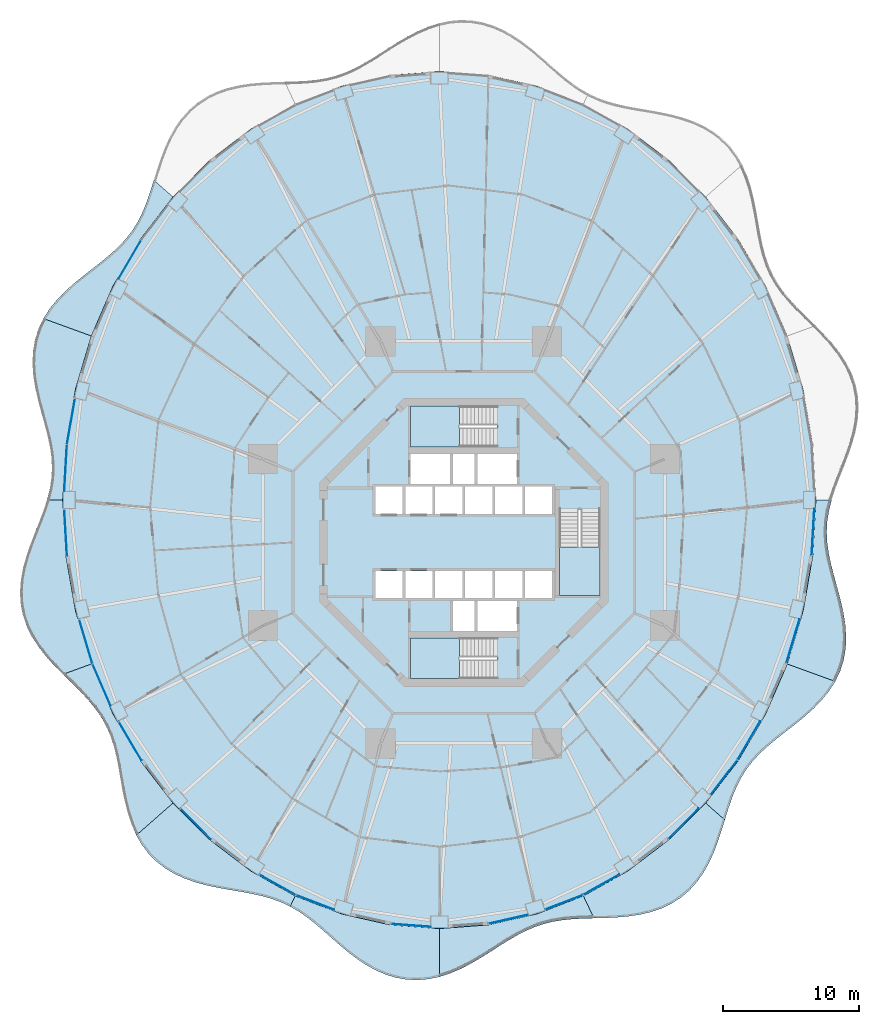
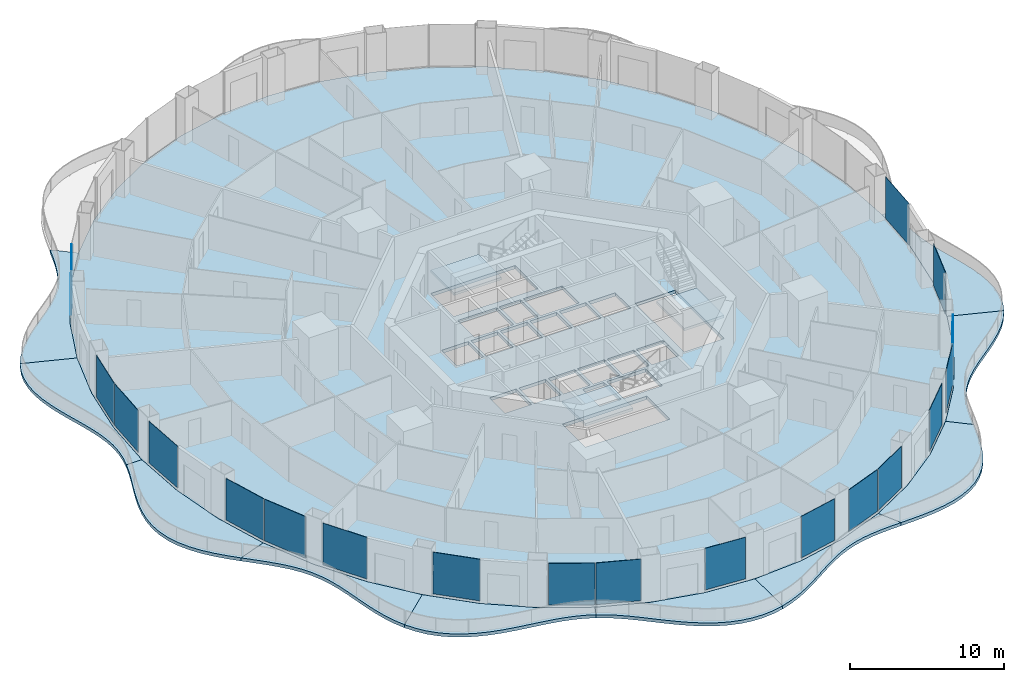
# One storey, part 12 of 22: 19 plates, 14 slabs, 22 elements without a shape of their own.
"""IFC4 building model written with IfcOpenShell, lengths in metres."""

import ifcopenshell
import ifcopenshell.guid

model = None  # the IFC model being written
_history = None  # IfcOwnerHistory: only IFC2X3 demands one
_inside = {}  # id of a spatial element -> (the spatial element, [elements in it])
_under = {}  # id of a project, library or spatial element -> (it, [spatial elements below it])
_declared = {}  # id of a project -> (the project, [libraries it declares])
_typed = {}  # id of a type object -> (the type object, [elements of that type])
_made_of = {}  # id of a material, layer set ... -> (it, [elements and type objects made of it])


def new_model(schema):
    """Start an empty IFC model of exactly this schema.

    Asked for "IFC4X3", IfcOpenShell would pick the latest addendum, in which some entities
    have other attributes; the version numbers below select the first issue.
    IFC2X3 requires an IfcOwnerHistory on every rooted entity: one is made here for all.
    """
    global model, _history
    if schema == "IFC4X3":
        model = ifcopenshell.file(schema_version=(4, 3, 0, 0))
    else:
        model = ifcopenshell.file(schema=schema)
    _inside.clear()
    _under.clear()
    _declared.clear()
    _typed.clear()
    _made_of.clear()
    _history = None
    if model.schema == "IFC2X3":
        org = make("IfcOrganization", Name="unknown")
        user = make(
            "IfcPersonAndOrganization",
            ThePerson=make("IfcPerson", FamilyName="unknown"),
            TheOrganization=org,
        )
        app = make(
            "IfcApplication",
            ApplicationDeveloper=org,
            Version="unknown",
            ApplicationFullName="unknown",
            ApplicationIdentifier="unknown",
        )
        _history = make(
            "IfcOwnerHistory",
            OwningUser=user,
            OwningApplication=app,
            ChangeAction="ADDED",
            CreationDate=0,
        )
    return model


def make(cls, **values):
    """One entity of the class cls with the attributes given. An attribute that is None is left unset."""
    return model.create_entity(
        cls, **{name: value for name, value in values.items() if value is not None}
    )


def rooted(cls, **values):
    """An entity with a GlobalId (a new one), such as an element, a storey or a relation."""
    return make(cls, GlobalId=ifcopenshell.guid.new(), OwnerHistory=_history, **values)


def si_unit(unit_type, name, prefix=None):
    """IfcSIUnit, for example si_unit("LENGTHUNIT", "METRE", prefix="MILLI")."""
    return make("IfcSIUnit", UnitType=unit_type, Prefix=prefix, Name=name)


def assignment(units):
    """IfcUnitAssignment: the units of a project."""
    return None if units is None else make("IfcUnitAssignment", Units=units)


def point(xyz):
    """IfcCartesianPoint."""
    return None if xyz is None else make("IfcCartesianPoint", Coordinates=xyz)


def direction(xyz):
    """IfcDirection."""
    return None if xyz is None else make("IfcDirection", DirectionRatios=xyz)


def frame(location, z_axis=None, x_axis=None):
    """IfcAxis2Placement3D, a coordinate frame: its origin and axes. An axis left out is left unset."""
    return make(
        "IfcAxis2Placement3D",
        Location=point(location),
        Axis=direction(z_axis),
        RefDirection=direction(x_axis),
    )


def frame_2d(location, x_axis=None):
    """IfcAxis2Placement2D, a coordinate frame in the plane: its origin and x axis."""
    return make(
        "IfcAxis2Placement2D", Location=point(location), RefDirection=direction(x_axis)
    )


def origin():
    """The frame at (0, 0, 0) with its axes left unset."""
    return frame((0.0, 0.0, 0.0))


def origin_2d():
    """The frame at (0, 0) in the plane with its x axis left unset."""
    return frame_2d((0.0, 0.0))


def place(relative_to, where):
    """IfcLocalPlacement: puts the frame where relative to a parent placement (None: the world)."""
    return make(
        "IfcLocalPlacement", PlacementRelTo=relative_to, RelativePlacement=where
    )


def context(
    kind, dimensions, precision=None, world=None, true_north=None, identifier=None
):
    """IfcGeometricRepresentationContext, for example the 3D "Model" context."""
    return make(
        "IfcGeometricRepresentationContext",
        ContextIdentifier=identifier,
        ContextType=kind,
        CoordinateSpaceDimension=dimensions,
        Precision=precision,
        WorldCoordinateSystem=world,
        TrueNorth=true_north,
    )


def subcontext(parent, identifier, kind, view, scale=None):
    """IfcGeometricRepresentationSubContext, for example "Body" below "Model"."""
    return make(
        "IfcGeometricRepresentationSubContext",
        ContextIdentifier=identifier,
        ContextType=kind,
        ParentContext=parent,
        TargetScale=scale,
        TargetView=view,
    )


def project(units=None, contexts=None):
    """IfcProject with its units and contexts."""
    return rooted(
        "IfcProject",
        Name="project",
        RepresentationContexts=contexts,
        UnitsInContext=assignment(units),
    )


def spatial(cls, under=None, at=None, **own):
    """A site, building, storey or space (cls), placed at a placement, below another one or the project."""
    s = rooted(cls, ObjectPlacement=at, **own)
    if under is not None:
        _under.setdefault(under.id(), (under, []))[1].append(s)
    return s


def polyline(points):
    """IfcPolyline through the points."""
    return make("IfcPolyline", Points=[point(p) for p in points])


def profile(cls, at=None, kind="AREA", **sizes):
    """A parametric profile (cls). Its sizes go by their IFC names, for example OverallWidth=200.0."""
    return make(cls, ProfileType=kind, Position=at, **sizes)


def rectangle(**sizes):
    """IfcRectangleProfileDef."""
    return profile("IfcRectangleProfileDef", **sizes)


def outline(outer, holes=None, kind="AREA"):
    """IfcArbitraryClosedProfileDef: a profile drawn as a closed curve; with holes, ...WithVoids."""
    if holes is None:
        return make("IfcArbitraryClosedProfileDef", ProfileType=kind, OuterCurve=outer)
    return make(
        "IfcArbitraryProfileDefWithVoids",
        ProfileType=kind,
        OuterCurve=outer,
        InnerCurves=holes,
    )


def extrude(swept, where, along, depth):
    """IfcExtrudedAreaSolid: the profile swept, set in the frame where, extruded along a direction by depth."""
    return make(
        "IfcExtrudedAreaSolid",
        SweptArea=swept,
        Position=where,
        ExtrudedDirection=direction(along),
        Depth=depth,
    )


def shape(context_of_items, identifier, shape_type, items):
    """IfcShapeRepresentation: the items that make up one representation, for example the "Body"."""
    return make(
        "IfcShapeRepresentation",
        ContextOfItems=context_of_items,
        RepresentationIdentifier=identifier,
        RepresentationType=shape_type,
        Items=items,
    )


def material(Name=None, Category=None):
    """IfcMaterial."""
    return make("IfcMaterial", Name=Name, Category=Category)


def layer(
    of_material, thickness, ventilated=None, Name=None, Category=None, Priority=None
):
    """IfcMaterialLayer: one layer of a wall or slab, of a material (None: an air gap)."""
    return make(
        "IfcMaterialLayer",
        Material=of_material,
        LayerThickness=thickness,
        IsVentilated=ventilated,
        Name=Name,
        Category=Category,
        Priority=Priority,
    )


def layer_set(layers, Name=None):
    """IfcMaterialLayerSet."""
    return make("IfcMaterialLayerSet", MaterialLayers=layers, LayerSetName=Name)


def made_of(thing, what):
    """Note that an element or type object is made of a material, layer set ...; save() writes the relation."""
    if what is not None:
        _made_of.setdefault(what.id(), (what, []))[1].append(thing)
    return thing


def type_object(cls, material=None, **own):
    """A type object (cls), such as IfcWallType, which elements share."""
    return made_of(rooted(cls, **own), material)


def element(
    cls,
    number,
    at=None,
    inside=None,
    cuts=None,
    type_object=None,
    material=None,
    context=None,
    identifier="Body",
    shape_type=None,
    held_by="IfcProductDefinitionShape",
    body=None,
    shapes=None,
    **own,
):
    """One element of the class cls, such as IfcWall. Its Tag is "e" and its number.

    at: its placement. inside: the storey or other place that contains it. cuts: it is an
    opening in that element (IfcRelVoidsElement). A single representation is given by context,
    identifier, shape_type and body (its items); several are given by shapes. held_by: the class
    of the entity that holds the representations. save() writes the other relations.
    """
    e = rooted(cls, Tag="e%d" % number, ObjectPlacement=at, **own)
    if body is not None:
        shapes = [shape(context, identifier, shape_type, body)]
    if shapes is not None:
        e.Representation = make(held_by, Representations=shapes)
    if inside is not None:
        _inside.setdefault(inside.id(), (inside, []))[1].append(e)
    if cuts is not None:
        rooted(
            "IfcRelVoidsElement", RelatingBuildingElement=cuts, RelatedOpeningElement=e
        )
    if type_object is not None:
        _typed.setdefault(type_object.id(), (type_object, []))[1].append(e)
    return made_of(e, material)


def aggregate(whole, parts):
    """IfcRelAggregates: a whole, such as a stair, and the parts it consists of."""
    return rooted("IfcRelAggregates", RelatingObject=whole, RelatedObjects=parts)


def save(model, path):
    """Write the relations noted so far, then the file.

    IfcRelAggregates (storeys below a building ...), IfcRelContainedInSpatialStructure (elements
    in a storey), IfcRelDefinesByType, IfcRelAssociatesMaterial and IfcRelDeclares: one each for
    every whole, place, type object, material and project.
    """
    for whole, parts in _under.values():
        aggregate(whole, parts)
    for where, things in _inside.values():
        rooted(
            "IfcRelContainedInSpatialStructure",
            RelatedElements=things,
            RelatingStructure=where,
        )
    for kind, things in _typed.values():
        rooted("IfcRelDefinesByType", RelatedObjects=things, RelatingType=kind)
    for what, things in _made_of.values():
        rooted("IfcRelAssociatesMaterial", RelatedObjects=things, RelatingMaterial=what)
    for by, libraries in _declared.values():
        rooted("IfcRelDeclares", RelatingContext=by, RelatedDefinitions=libraries)
    model.write(path)


model = new_model("IFC4")

# Units and contexts
model_context = context("Model", 3, precision=1e-05, world=origin(), true_north=direction((0.0, 1.0)))
body_context = subcontext(model_context, "Body", "Model", "MODEL_VIEW")
ifc_project = project(units=[si_unit("LENGTHUNIT", "METRE"), si_unit("AREAUNIT", "SQUARE_METRE"), si_unit("VOLUMEUNIT", "CUBIC_METRE"), si_unit("PLANEANGLEUNIT", "RADIAN"), si_unit("MASSUNIT", "GRAM", prefix="KILO")], contexts=[model_context])

# Site, building, storey
site_placement = place(None, origin())
site = spatial("IfcSite", under=ifc_project, at=site_placement, CompositionType="ELEMENT")
building_placement = place(site_placement, origin())
building = spatial("IfcBuilding", under=site, at=building_placement, Name="Nagisa Residences", CompositionType="ELEMENT")
storey_placement = place(building_placement, frame((0.0, 0.0, 99.199951171875)))
storey = spatial("IfcBuildingStorey", under=building, at=storey_placement, Name="L24", CompositionType="ELEMENT", Elevation=99.199951171875)

# Slabs
ifc_material_1 = material(Name="Concrete C40/50", Category="concrete")
ifc_layer_1 = layer(ifc_material_1, 0.25)
ifc_layer_set_1 = layer_set([ifc_layer_1], Name="BALCONY SLAB 250")
slab_type_1 = type_object("IfcSlabType", Name="BALCONY SLAB 250", PredefinedType="FLOOR", material=ifc_layer_set_1)
slab_1_placement = place(storey_placement, frame((0.0, 0.0, -0.25)))
element("IfcSlab", 1, at=slab_1_placement, inside=storey, type_object=slab_type_1, Name="slab:L24:bal06", PredefinedType="FLOOR", context=body_context, shape_type="SweptSolid", body=[
    extrude(outline(polyline([(-22.7900390625, 26.638427734375), (-23.04541015625, 25.820068359375), (-23.31494140625, 25.0341796875), (-23.6162109375, 24.28955078125), (-23.96337890625, 23.591064453125), (-24.36767578125, 22.938720703125), (-24.834716796875, 22.32958984375), (-25.365478515625, 21.75634765625), (-25.955322265625, 21.209716796875), (-26.59423828125, 20.67822265625), (-27.267822265625, 20.149658203125), (-27.957763671875, 19.61181640625), (-28.643310546875, 19.05322265625), (-29.30224609375, 18.464599609375), (-29.912841796875, 17.838623046875), (-30.455078125, 17.17138671875), (-30.911865234375, 16.461181640625), (-27.386962890625, 15.177978515625), (-25.78466796875, 18.875244140625), (-23.77197265625, 22.302734375), (-21.38330078125, 25.402099609375), (-22.7900390625, 26.638427734375)])), origin(), (0.0, 0.0, 1.0), 0.25),
])
slab_2_placement = place(storey_placement, frame((0.0, 0.0, -0.25)))
element("IfcSlab", 2, at=slab_2_placement, inside=storey, type_object=slab_type_1, Name="slab:L24:bal07", PredefinedType="FLOOR", context=body_context, shape_type="SweptSolid", body=[
    extrude(outline(polyline([(-30.911865234375, 16.461181640625), (-31.2802734375, 15.684814453125), (-31.53662109375, 14.869140625), (-31.678955078125, 14.02099609375), (-31.712890625, 13.149169921875), (-31.64990234375, 12.2626953125), (-31.507568359375, 11.371337890625), (-31.307861328125, 10.48388671875), (-31.07568359375, 9.60693359375), (-30.8369140625, 8.745849609375), (-30.6171875, 7.903564453125), (-30.439697265625, 7.079833984375), (-30.323486328125, 6.27294921875), (-30.2822265625, 5.478759765625), (-30.3232421875, 4.6923828125), (-30.447021484375, 3.9072265625), (-30.64697265625, 3.11767578125), (-29.4951171875, 3.11767578125), (-29.258056640625, 7.231201171875), (-28.55126953125, 11.2744140625), (-27.386962890625, 15.177978515625), (-30.911865234375, 16.461181640625)])), origin(), (0.0, 0.0, 1.0), 0.25),
])
slab_3_placement = place(storey_placement, frame((0.0, 0.0, -0.25)))
element("IfcSlab", 3, at=slab_3_placement, inside=storey, type_object=slab_type_1, Name="slab:L24:bal08", PredefinedType="FLOOR", context=body_context, shape_type="SweptSolid", body=[
    extrude(outline(polyline([(-30.64697265625, 3.11767578125), (-30.91015625, 2.318115234375), (-31.218017578125, 1.504638671875), (-31.54736328125, 0.675048828125), (-31.873046875, -0.1708984375), (-32.168212890625, -1.03076171875), (-32.407470703125, -1.900390625), (-32.568359375, -2.7734375), (-32.632080078125, -3.642578125), (-32.586181640625, -4.499755859375), (-32.424072265625, -5.337158203125), (-32.146484375, -6.147705078125), (-31.7607421875, -6.926513671875), (-31.280029296875, -7.670166015625), (-30.723388671875, -8.378662109375), (-30.113525390625, -9.05419921875), (-29.474609375, -9.70263671875), (-27.386962890625, -8.942626953125), (-28.55126953125, -5.0390625), (-29.258056640625, -0.995849609375), (-29.4951171875, 3.11767578125), (-30.64697265625, 3.11767578125)])), origin(), (0.0, 0.0, 1.0), 0.25),
])
slab_4_placement = place(storey_placement, frame((0.0, 0.0, -0.25)))
element("IfcSlab", 4, at=slab_4_placement, inside=storey, type_object=slab_type_1, Name="slab:L24:bal09", PredefinedType="FLOOR", context=body_context, shape_type="SweptSolid", body=[
    extrude(outline(polyline([(-29.474609375, -9.70263671875), (-28.85205078125, -10.312255859375), (-28.248046875, -10.912841796875), (-27.681396484375, -11.514404296875), (-27.16796875, -12.127197265625), (-26.7177734375, -12.761474609375), (-26.3359375, -13.42578125), (-26.022216796875, -14.1259765625), (-25.77001953125, -14.865966796875), (-25.568359375, -15.64599609375), (-25.40185546875, -16.462158203125), (-25.25244140625, -17.307861328125), (-25.099853515625, -18.17236328125), (-24.923828125, -19.042724609375), (-24.705078125, -19.90380859375), (-24.42724609375, -20.739501953125), (-24.07666015625, -21.53369140625), (-21.38330078125, -19.166748046875), (-23.77197265625, -16.0673828125), (-25.78466796875, -12.639892578125), (-27.386962890625, -8.942626953125), (-29.474609375, -9.70263671875)])), origin(), (0.0, 0.0, 1.0), 0.25),
])
slab_5_placement = place(storey_placement, frame((0.0, 0.0, -0.25)))
element("IfcSlab", 5, at=slab_5_placement, inside=storey, type_object=slab_type_1, Name="slab:L24:bal10", PredefinedType="FLOOR", context=body_context, shape_type="SweptSolid", body=[
    extrude(outline(polyline([(-24.07666015625, -21.53369140625), (-23.66650390625, -22.238037109375), (-23.178955078125, -22.88037109375), (-22.614013671875, -23.4521484375), (-21.9765625, -23.9482421875), (-21.274169921875, -24.367919921875), (-20.518310546875, -24.71337890625), (-19.7216796875, -24.991943359375), (-18.89892578125, -25.213623046875), (-18.064208984375, -25.3916015625), (-17.2314453125, -25.5419921875), (-16.41259765625, -25.681884765625), (-15.61767578125, -25.828125), (-14.853515625, -25.99755859375), (-14.123291015625, -26.204345703125), (-13.427490234375, -26.460205078125), (-12.763427734375, -26.772705078125), (-12.3984375, -25.998291015625), (-15.6474609375, -24.175048828125), (-18.65966796875, -21.884765625), (-21.38330078125, -19.166748046875), (-24.07666015625, -21.53369140625)])), origin(), (0.0, 0.0, 1.0), 0.25),
])
slab_6_placement = place(storey_placement, frame((0.0, 0.0, -0.25)))
element("IfcSlab", 6, at=slab_6_placement, inside=storey, type_object=slab_type_1, Name="slab:L24:bal11", PredefinedType="FLOOR", context=body_context, shape_type="SweptSolid", body=[
    extrude(outline(polyline([(-12.763427734375, -26.772705078125), (-12.148193359375, -27.130859375), (-11.55029296875, -27.54296875), (-10.961669921875, -28.004150390625), (-10.37353515625, -28.504638671875), (-9.777587890625, -29.031494140625), (-9.166259765625, -29.56884765625), (-8.532958984375, -30.098876953125), (-7.873046875, -30.603271484375), (-7.184814453125, -31.062744140625), (-6.4677734375, -31.46044921875), (-5.72412109375, -31.78076171875), (-4.958251953125, -32.01171875), (-4.17578125, -32.145263671875), (-3.3837890625, -32.177490234375), (-2.58935546875, -32.109130859375), (-1.800048828125, -31.9453125), (-1.800048828125, -28.397216796875), (-5.4150390625, -28.127685546875), (-8.968017578125, -27.323486328125), (-12.3984375, -25.998291015625), (-12.763427734375, -26.772705078125)])), origin(), (0.0, 0.0, 1.0), 0.25),
])
slab_7_placement = place(storey_placement, frame((0.0, 0.0, -0.25)))
element("IfcSlab", 7, at=slab_7_placement, inside=storey, type_object=slab_type_1, Name="slab:L24:bal12", PredefinedType="FLOOR", context=body_context, shape_type="SweptSolid", body=[
    extrude(outline(polyline([(-1.800048828125, -31.9453125), (-1.022216796875, -31.69580078125), (-0.261474609375, -31.3740234375), (0.478759765625, -30.995849609375), (1.19677734375, -30.580078125), (1.89306640625, -30.145263671875), (2.570556640625, -29.710693359375), (3.2333984375, -29.2939453125), (3.8876953125, -28.91015625), (4.54052734375, -28.571533203125), (5.198974609375, -28.28662109375), (5.870361328125, -28.05908203125), (6.560302734375, -27.888916015625), (7.27392578125, -27.771484375), (8.013427734375, -27.6982421875), (8.779296875, -27.656982421875), (9.569091796875, -27.63330078125), (8.79833984375, -25.998291015625), (5.367919921875, -27.323486328125), (1.81494140625, -28.127685546875), (-1.800048828125, -28.397216796875), (-1.800048828125, -31.9453125)])), origin(), (0.0, 0.0, 1.0), 0.25),
])
slab_8_placement = place(storey_placement, frame((0.0, 0.0, -0.25)))
element("IfcSlab", 8, at=slab_8_placement, inside=storey, type_object=slab_type_1, Name="slab:L24:bal13", PredefinedType="FLOOR", context=body_context, shape_type="SweptSolid", body=[
    extrude(outline(polyline([(9.569091796875, -27.63330078125), (10.408447265625, -27.6103515625), (11.26025390625, -27.570068359375), (12.11376953125, -27.494384765625), (12.957275390625, -27.366455078125), (13.77783203125, -27.171875), (14.5625, -26.900390625), (15.29931640625, -26.544921875), (15.978759765625, -26.10302734375), (16.593017578125, -25.5771484375), (17.13818359375, -24.972900390625), (17.614013671875, -24.30029296875), (18.0234375, -23.57177734375), (18.3740234375, -22.802001953125), (18.67626953125, -22.007080078125), (18.943115234375, -21.202392578125), (19.190185546875, -20.403076171875), (17.783203125, -19.166748046875), (15.0595703125, -21.884765625), (12.047607421875, -24.175048828125), (8.79833984375, -25.998291015625), (9.569091796875, -27.63330078125)])), origin(), (0.0, 0.0, 1.0), 0.25),
])
slab_9_placement = place(storey_placement, frame((0.0, 0.0, -0.25)))
element("IfcSlab", 9, at=slab_9_placement, inside=storey, type_object=slab_type_1, Name="slab:L24:bal14", PredefinedType="FLOOR", context=body_context, shape_type="SweptSolid", body=[
    extrude(outline(polyline([(19.190185546875, -20.403076171875), (19.4453125, -19.58447265625), (19.71484375, -18.798828125), (20.01611328125, -18.05419921875), (20.363525390625, -17.355712890625), (20.767578125, -16.703369140625), (21.234619140625, -16.093994140625), (21.765380859375, -15.52099609375), (22.355224609375, -14.974365234375), (22.994140625, -14.44287109375), (23.667724609375, -13.914306640625), (24.35791015625, -13.37646484375), (25.04345703125, -12.81787109375), (25.702392578125, -12.229248046875), (26.31298828125, -11.603271484375), (26.85498046875, -10.93603515625), (27.311767578125, -10.2255859375), (23.786865234375, -8.942626953125), (22.1845703125, -12.639892578125), (20.171875, -16.0673828125), (17.783203125, -19.166748046875), (19.190185546875, -20.403076171875)])), origin(), (0.0, 0.0, 1.0), 0.25),
])
slab_10_placement = place(storey_placement, frame((0.0, 0.0, -0.25)))
element("IfcSlab", 10, at=slab_10_placement, inside=storey, type_object=slab_type_1, Name="slab:L24:bal15", PredefinedType="FLOOR", context=body_context, shape_type="SweptSolid", body=[
    extrude(outline(polyline([(27.311767578125, -10.2255859375), (27.680419921875, -9.449462890625), (27.9365234375, -8.6337890625), (28.078857421875, -7.78564453125), (28.11279296875, -6.913818359375), (28.0498046875, -6.02734375), (27.90771484375, -5.135986328125), (27.7080078125, -4.24853515625), (27.4755859375, -3.37158203125), (27.23681640625, -2.510498046875), (27.01708984375, -1.668212890625), (26.839599609375, -0.844482421875), (26.723388671875, -0.03759765625), (26.68212890625, 0.756591796875), (26.72314453125, 1.54296875), (26.84716796875, 2.328125), (27.047119140625, 3.11767578125), (25.89501953125, 3.11767578125), (25.657958984375, -0.995849609375), (24.951416015625, -5.0390625), (23.786865234375, -8.942626953125), (27.311767578125, -10.2255859375)])), origin(), (0.0, 0.0, 1.0), 0.25),
])

# Curtain wall, plate
ifc_material_2 = material(Name="Concrete-coloured aluminium curtain wall system", Category="concrete")
ifc_layer_2 = layer(ifc_material_2, 0.159912109375)
ifc_layer_set_2 = layer_set([ifc_layer_2], Name="CW1 CURTAIN WALL")
curtain_wall_type = type_object("IfcCurtainWallType", Name="CW1 CURTAIN WALL", PredefinedType="NOTDEFINED", material=ifc_layer_set_2)
curtain_wall_1_placement = place(storey_placement, origin())
curtain_wall_1 = element("IfcCurtainWall", 11, at=curtain_wall_1_placement, inside=storey, type_object=curtain_wall_type, Name="cw:CW1:L24:19", PredefinedType="NOTDEFINED")
ifc_material_3 = material(Name="Clear laminated glass", Category="glass")
ifc_layer_3 = layer(ifc_material_3, 0.028076171875)
ifc_layer_set_3 = layer_set([ifc_layer_3], Name="CW1 GLASS PANEL")
plate_type = type_object("IfcPlateType", Name="CW1 GLASS PANEL", PredefinedType="CURTAIN_PANEL", material=ifc_layer_set_3)
plate_1_placement = place(storey_placement, frame((-24.559814453125, 20.802978515625, 0.150146484375), z_axis=(0.0, 0.0, 1.0), x_axis=(-0.506348567002, -0.862328898214, 0.0)))
plate_1 = element("IfcPlate", 12, at=plate_1_placement, type_object=plate_type, Name="CW1 panel", PredefinedType="CURTAIN_PANEL", context=body_context, shape_type="SweptSolid", body=[
    extrude(rectangle(XDim=3.264892578125, YDim=0.028076171875, at=origin_2d()), origin(), (0.0, 0.0, 1.0), 3.2900390625),
])
aggregate(curtain_wall_1, [plate_1])

curtain_wall_2_placement = place(storey_placement, origin())
curtain_wall_2 = element("IfcCurtainWall", 13, at=curtain_wall_2_placement, inside=storey, type_object=curtain_wall_type, Name="cw:CW1:L24:22", PredefinedType="NOTDEFINED")
plate_2_placement = place(storey_placement, frame((-28.886962890625, 8.889404296875, 0.150146484375), z_axis=(0.0, 0.0, 1.0), x_axis=(-0.172190868898, -0.985063604377, 0.0)))
plate_2 = element("IfcPlate", 14, at=plate_2_placement, type_object=plate_type, Name="CW1 panel", PredefinedType="CURTAIN_PANEL", context=body_context, shape_type="SweptSolid", body=[
    extrude(rectangle(XDim=3.39453125, YDim=0.028076171875, at=origin_2d()), origin(), (0.0, 0.0, 1.0), 3.2900390625),
])
aggregate(curtain_wall_2, [plate_2])

curtain_wall_3_placement = place(storey_placement, origin())
curtain_wall_3 = element("IfcCurtainWall", 15, at=curtain_wall_3_placement, inside=storey, type_object=curtain_wall_type, Name="cw:CW1:L24:23", PredefinedType="NOTDEFINED")
plate_3_placement = place(storey_placement, frame((-29.27978515625, 5.46435546875, 0.150146484375), z_axis=(0.0, 0.0, 1.0), x_axis=(-0.057503492216, -0.998345305184, 0.0)))
plate_3 = element("IfcPlate", 16, at=plate_3_placement, type_object=plate_type, Name="CW1 panel", PredefinedType="CURTAIN_PANEL", context=body_context, shape_type="SweptSolid", body=[
    extrude(rectangle(XDim=3.410400390625, YDim=0.028076171875, at=origin_2d()), origin(), (0.0, 0.0, 1.0), 3.2900390625),
])
aggregate(curtain_wall_3, [plate_3])

curtain_wall_4_placement = place(storey_placement, origin())
curtain_wall_4 = element("IfcCurtainWall", 17, at=curtain_wall_4_placement, inside=storey, type_object=curtain_wall_type, Name="cw:CW1:L24:24", PredefinedType="NOTDEFINED")
plate_4_placement = place(storey_placement, frame((-29.2763671875, 0.711181640625, 0.150146484375), z_axis=(0.0, 0.0, 1.0), x_axis=(0.057503492216, -0.998345305184, 0.0)))
plate_4 = element("IfcPlate", 18, at=plate_4_placement, type_object=plate_type, Name="CW1 panel", PredefinedType="CURTAIN_PANEL", context=body_context, shape_type="SweptSolid", body=[
    extrude(rectangle(XDim=3.410400390625, YDim=0.028076171875, at=origin_2d()), origin(), (0.0, 0.0, 1.0), 3.2900390625),
])
aggregate(curtain_wall_4, [plate_4])

curtain_wall_5_placement = place(storey_placement, origin())
curtain_wall_5 = element("IfcCurtainWall", 19, at=curtain_wall_5_placement, inside=storey, type_object=curtain_wall_type, Name="cw:CW1:L24:26", PredefinedType="NOTDEFINED")
plate_5_placement = place(storey_placement, frame((-27.791015625, -7.30810546875, 0.150146484375), z_axis=(0.0, 0.0, 1.0), x_axis=(0.285860274038, -0.958271310082, 0.0)))
plate_5 = element("IfcPlate", 20, at=plate_5_placement, type_object=plate_type, Name="CW1 panel", PredefinedType="CURTAIN_PANEL", context=body_context, shape_type="SweptSolid", body=[
    extrude(rectangle(XDim=3.363525390625, YDim=0.028076171875, at=origin_2d()), origin(), (0.0, 0.0, 1.0), 3.2900390625),
])
aggregate(curtain_wall_5, [plate_5])

curtain_wall_6_placement = place(storey_placement, origin())
curtain_wall_6 = element("IfcCurtainWall", 21, at=curtain_wall_6_placement, inside=storey, type_object=curtain_wall_type, Name="cw:CW1:L24:27", PredefinedType="NOTDEFINED")
plate_6_placement = place(storey_placement, frame((-26.629638671875, -10.48876953125, 0.150146484375), z_axis=(0.0, 0.0, 1.0), x_axis=(0.397635934147, -0.917543276295, 0.0)))
plate_6 = element("IfcPlate", 22, at=plate_6_placement, type_object=plate_type, Name="CW1 panel", PredefinedType="CURTAIN_PANEL", context=body_context, shape_type="SweptSolid", body=[
    extrude(rectangle(XDim=3.319580078125, YDim=0.028076171875, at=origin_2d()), origin(), (0.0, 0.0, 1.0), 3.2900390625),
])
aggregate(curtain_wall_6, [plate_6])

curtain_wall_7_placement = place(storey_placement, origin())
curtain_wall_7 = element("IfcCurtainWall", 23, at=curtain_wall_7_placement, inside=storey, type_object=curtain_wall_type, Name="cw:CW1:L24:28", PredefinedType="NOTDEFINED")
plate_7_placement = place(storey_placement, frame((-24.529541015625, -14.619140625, 0.150146484375), z_axis=(0.0, 0.0, 1.0), x_axis=(0.506348567002, -0.862328898214, 0.0)))
plate_7 = element("IfcPlate", 24, at=plate_7_placement, type_object=plate_type, Name="CW1 panel", PredefinedType="CURTAIN_PANEL", context=body_context, shape_type="SweptSolid", body=[
    extrude(rectangle(XDim=3.264892578125, YDim=0.028076171875, at=origin_2d()), origin(), (0.0, 0.0, 1.0), 3.2900390625),
])
aggregate(curtain_wall_7, [plate_7])

curtain_wall_8_placement = place(storey_placement, origin())
curtain_wall_8 = element("IfcCurtainWall", 25, at=curtain_wall_8_placement, inside=storey, type_object=curtain_wall_type, Name="cw:CW1:L24:30", PredefinedType="NOTDEFINED")
plate_8_placement = place(storey_placement, frame((-19.713623046875, -20.719970703125, 0.150146484375), z_axis=(0.0, 0.0, 1.0), x_axis=(0.707835924016, -0.706376885714, 0.0)))
plate_8 = element("IfcPlate", 26, at=plate_8_placement, type_object=plate_type, Name="CW1 panel", PredefinedType="CURTAIN_PANEL", context=body_context, shape_type="SweptSolid", body=[
    extrude(rectangle(XDim=3.137939453125, YDim=0.028076171875, at=origin_2d()), origin(), (0.0, 0.0, 1.0), 3.2900390625),
])
aggregate(curtain_wall_8, [plate_8])

curtain_wall_9_placement = place(storey_placement, origin())
curtain_wall_9 = element("IfcCurtainWall", 27, at=curtain_wall_9_placement, inside=storey, type_object=curtain_wall_type, Name="cw:CW1:L24:32", PredefinedType="NOTDEFINED")
plate_9_placement = place(storey_placement, frame((-13.67431640625, -25.190673828125, 0.150146484375), z_axis=(0.0, 0.0, 1.0), x_axis=(0.872072377523, -0.489376918501, 0.0)))
plate_9 = element("IfcPlate", 28, at=plate_9_placement, type_object=plate_type, Name="CW1 panel", PredefinedType="CURTAIN_PANEL", context=body_context, shape_type="SweptSolid", body=[
    extrude(rectangle(XDim=3.015625, YDim=0.028076171875, at=origin_2d()), origin(), (0.0, 0.0, 1.0), 3.2900390625),
])
aggregate(curtain_wall_9, [plate_9])

curtain_wall_10_placement = place(storey_placement, origin())
curtain_wall_10 = element("IfcCurtainWall", 29, at=curtain_wall_10_placement, inside=storey, type_object=curtain_wall_type, Name="cw:CW1:L24:33", PredefinedType="NOTDEFINED")
plate_10_placement = place(storey_placement, frame((-10.929443359375, -26.47998046875, 0.150146484375), z_axis=(0.0, 0.0, 1.0), x_axis=(0.932825759707, -0.360327770268, 0.0)))
plate_10 = element("IfcPlate", 30, at=plate_10_placement, type_object=plate_type, Name="CW1 panel", PredefinedType="CURTAIN_PANEL", context=body_context, shape_type="SweptSolid", body=[
    extrude(rectangle(XDim=2.967529296875, YDim=0.028076171875, at=origin_2d()), origin(), (0.0, 0.0, 1.0), 3.2900390625),
])
aggregate(curtain_wall_10, [plate_10])

curtain_wall_11_placement = place(storey_placement, origin())
curtain_wall_11 = element("IfcCurtainWall", 31, at=curtain_wall_11_placement, inside=storey, type_object=curtain_wall_type, Name="cw:CW1:L24:35", PredefinedType="NOTDEFINED")
plate_11_placement = place(storey_placement, frame((-3.895751953125, -28.160888671875, 0.150146484375), z_axis=(0.0, 0.0, 1.0), x_axis=(0.997230168512, -0.074377355493, 0.0)))
plate_11 = element("IfcPlate", 32, at=plate_11_placement, type_object=plate_type, Name="CW1 panel", PredefinedType="CURTAIN_PANEL", context=body_context, shape_type="SweptSolid", body=[
    extrude(rectangle(XDim=2.9150390625, YDim=0.028076171875, at=origin_2d()), origin(), (0.0, 0.0, 1.0), 3.2900390625),
])
aggregate(curtain_wall_11, [plate_11])

curtain_wall_12_placement = place(storey_placement, origin())
curtain_wall_12 = element("IfcCurtainWall", 33, at=curtain_wall_12_placement, inside=storey, type_object=curtain_wall_type, Name="cw:CW1:L24:37", PredefinedType="NOTDEFINED")
plate_12_placement = place(storey_placement, frame((3.2861328125, -27.712646484375, 0.150146484375), z_axis=(0.0, 0.0, 1.0), x_axis=(0.975327274089, 0.2207639201, 0.0)))
plate_12 = element("IfcPlate", 34, at=plate_12_placement, type_object=plate_type, Name="CW1 panel", PredefinedType="CURTAIN_PANEL", context=body_context, shape_type="SweptSolid", body=[
    extrude(rectangle(XDim=2.932861328125, YDim=0.028076171875, at=origin_2d()), origin(), (0.0, 0.0, 1.0), 3.2900390625),
])
aggregate(curtain_wall_12, [plate_12])

curtain_wall_13_placement = place(storey_placement, origin())
curtain_wall_13 = element("IfcCurtainWall", 35, at=curtain_wall_13_placement, inside=storey, type_object=curtain_wall_type, Name="cw:CW1:L24:38", PredefinedType="NOTDEFINED")
plate_13_placement = place(storey_placement, frame((7.385498046875, -26.45849609375, 0.150146484375), z_axis=(0.0, 0.0, 1.0), x_axis=(0.932825759707, 0.360327770268, 0.0)))
plate_13 = element("IfcPlate", 36, at=plate_13_placement, type_object=plate_type, Name="CW1 panel", PredefinedType="CURTAIN_PANEL", context=body_context, shape_type="SweptSolid", body=[
    extrude(rectangle(XDim=2.967529296875, YDim=0.028076171875, at=origin_2d()), origin(), (0.0, 0.0, 1.0), 3.2900390625),
])
aggregate(curtain_wall_13, [plate_13])

curtain_wall_14_placement = place(storey_placement, origin())
curtain_wall_14 = element("IfcCurtainWall", 37, at=curtain_wall_14_placement, inside=storey, type_object=curtain_wall_type, Name="cw:CW1:L24:39", PredefinedType="NOTDEFINED")
plate_14_placement = place(storey_placement, frame((10.12646484375, -25.161376953125, 0.150146484375), z_axis=(0.0, 0.0, 1.0), x_axis=(0.872072377523, 0.489376918501, 0.0)))
plate_14 = element("IfcPlate", 38, at=plate_14_placement, type_object=plate_type, Name="CW1 panel", PredefinedType="CURTAIN_PANEL", context=body_context, shape_type="SweptSolid", body=[
    extrude(rectangle(XDim=3.015625, YDim=0.028076171875, at=origin_2d()), origin(), (0.0, 0.0, 1.0), 3.2900390625),
])
aggregate(curtain_wall_14, [plate_14])

curtain_wall_15_placement = place(storey_placement, origin())
curtain_wall_15 = element("IfcCurtainWall", 39, at=curtain_wall_15_placement, inside=storey, type_object=curtain_wall_type, Name="cw:CW1:L24:41", PredefinedType="NOTDEFINED")
plate_15_placement = place(storey_placement, frame((16.15625, -20.677490234375, 0.150146484375), z_axis=(0.0, 0.0, 1.0), x_axis=(0.707835924016, 0.706376885714, 0.0)))
plate_15 = element("IfcPlate", 40, at=plate_15_placement, type_object=plate_type, Name="CW1 panel", PredefinedType="CURTAIN_PANEL", context=body_context, shape_type="SweptSolid", body=[
    extrude(rectangle(XDim=3.137939453125, YDim=0.028076171875, at=origin_2d()), origin(), (0.0, 0.0, 1.0), 3.2900390625),
])
aggregate(curtain_wall_15, [plate_15])

curtain_wall_16_placement = place(storey_placement, origin())
curtain_wall_16 = element("IfcCurtainWall", 41, at=curtain_wall_16_placement, inside=storey, type_object=curtain_wall_type, Name="cw:CW1:L24:42", PredefinedType="NOTDEFINED")
plate_16_placement = place(storey_placement, frame((19.130859375, -17.287109375, 0.150146484375), z_axis=(0.0, 0.0, 1.0), x_axis=(0.610429828235, 0.792070340816, 0.0)))
plate_16 = element("IfcPlate", 42, at=plate_16_placement, type_object=plate_type, Name="CW1 panel", PredefinedType="CURTAIN_PANEL", context=body_context, shape_type="SweptSolid", body=[
    extrude(rectangle(XDim=3.202880859375, YDim=0.028076171875, at=origin_2d()), origin(), (0.0, 0.0, 1.0), 3.2900390625),
])
aggregate(curtain_wall_16, [plate_16])

curtain_wall_17_placement = place(storey_placement, origin())
curtain_wall_17 = element("IfcCurtainWall", 43, at=curtain_wall_17_placement, inside=storey, type_object=curtain_wall_type, Name="cw:CW1:L24:43", PredefinedType="NOTDEFINED")
plate_17_placement = place(storey_placement, frame((20.9599609375, -14.5673828125, 0.150146484375), z_axis=(0.0, 0.0, 1.0), x_axis=(0.506348567002, 0.862328898214, 0.0)))
plate_17 = element("IfcPlate", 44, at=plate_17_placement, type_object=plate_type, Name="CW1 panel", PredefinedType="CURTAIN_PANEL", context=body_context, shape_type="SweptSolid", body=[
    extrude(rectangle(XDim=3.264892578125, YDim=0.028076171875, at=origin_2d()), origin(), (0.0, 0.0, 1.0), 3.2900390625),
])
aggregate(curtain_wall_17, [plate_17])

curtain_wall_18_placement = place(storey_placement, origin())
curtain_wall_18 = element("IfcCurtainWall", 45, at=curtain_wall_18_placement, inside=storey, type_object=curtain_wall_type, Name="cw:CW1:L24:45", PredefinedType="NOTDEFINED")
plate_18_placement = place(storey_placement, frame((24.2080078125, -7.25048828125, 0.150146484375), z_axis=(0.0, 0.0, 1.0), x_axis=(0.285860274038, 0.958271310082, 0.0)))
plate_18 = element("IfcPlate", 46, at=plate_18_placement, type_object=plate_type, Name="CW1 panel", PredefinedType="CURTAIN_PANEL", context=body_context, shape_type="SweptSolid", body=[
    extrude(rectangle(XDim=3.363525390625, YDim=0.028076171875, at=origin_2d()), origin(), (0.0, 0.0, 1.0), 3.2900390625),
])
aggregate(curtain_wall_18, [plate_18])

curtain_wall_19_placement = place(storey_placement, origin())
curtain_wall_19 = element("IfcCurtainWall", 47, at=curtain_wall_19_placement, inside=storey, type_object=curtain_wall_type, Name="cw:CW1:L24:47", PredefinedType="NOTDEFINED")
plate_19_placement = place(storey_placement, frame((25.6796875, 0.77099609375, 0.150146484375), z_axis=(0.0, 0.0, 1.0), x_axis=(0.057503492216, 0.998345305184, 0.0)))
plate_19 = element("IfcPlate", 48, at=plate_19_placement, type_object=plate_type, Name="CW1 panel", PredefinedType="CURTAIN_PANEL", context=body_context, shape_type="SweptSolid", body=[
    extrude(rectangle(XDim=3.410400390625, YDim=0.028076171875, at=origin_2d()), origin(), (0.0, 0.0, 1.0), 3.2900390625),
])
aggregate(curtain_wall_19, [plate_19])

# Slab
ifc_material_4 = material(Name="Concrete C40", Category="concrete")
ifc_layer_4 = layer(ifc_material_4, 0.260009765625)
ifc_layer_set_4 = layer_set([ifc_layer_4], Name="Floor slab 260")
slab_type_2 = type_object("IfcSlabType", Name="Floor slab 260", PredefinedType="FLOOR", material=ifc_layer_set_4)
slab_11_placement = place(storey_placement, frame((0.0, 0.0, -0.260009765625)))
element("IfcSlab", 49, at=slab_11_placement, inside=storey, type_object=slab_type_2, Name="slab:L24:floor", PredefinedType="FLOOR", context=body_context, shape_type="SweptSolid", body=[
    extrude(outline(polyline([(25.89501953125, 3.11767578125), (25.657958984375, 7.231201171875), (24.951416015625, 11.2744140625), (23.786865234375, 15.177978515625), (22.1845703125, 18.875244140625), (20.171875, 22.302734375), (17.783203125, 25.402099609375), (15.0595703125, 28.1201171875), (12.047607421875, 30.410400390625), (8.79833984375, 32.233642578125), (5.367919921875, 33.558837890625), (1.81494140625, 34.363037109375), (-1.800048828125, 34.6328125), (-5.4150390625, 34.363037109375), (-8.968017578125, 33.558837890625), (-12.3984375, 32.233642578125), (-15.6474609375, 30.410400390625), (-18.65966796875, 28.1201171875), (-21.38330078125, 25.402099609375), (-23.77197265625, 22.302734375), (-25.78466796875, 18.875244140625), (-27.386962890625, 15.177978515625), (-28.55126953125, 11.2744140625), (-29.258056640625, 7.231201171875), (-29.4951171875, 3.11767578125), (-29.258056640625, -0.995849609375), (-28.55126953125, -5.0390625), (-27.386962890625, -8.942626953125), (-25.78466796875, -12.639892578125), (-23.77197265625, -16.0673828125), (-21.38330078125, -19.166748046875), (-18.65966796875, -21.884765625), (-15.6474609375, -24.175048828125), (-12.3984375, -25.998291015625), (-8.968017578125, -27.323486328125), (-5.4150390625, -28.127685546875), (-1.800048828125, -28.397216796875), (1.81494140625, -28.127685546875), (5.367919921875, -27.323486328125), (8.79833984375, -25.998291015625), (12.047607421875, -24.175048828125), (15.0595703125, -21.884765625), (17.783203125, -19.166748046875), (20.171875, -16.0673828125), (22.1845703125, -12.639892578125), (23.786865234375, -8.942626953125), (24.951416015625, -5.0390625), (25.657958984375, -0.995849609375), (25.89501953125, 3.11767578125)]), holes=[polyline([(-4.5, 2.10009765625), (-4.5, 4.10009765625), (-6.5, 4.10009765625), (-6.5, 2.10009765625), (-4.5, 2.10009765625)]), polyline([(-2.300048828125, 2.10009765625), (-2.300048828125, 4.10009765625), (-4.300048828125, 4.10009765625), (-4.300048828125, 2.10009765625), (-2.300048828125, 2.10009765625)]), polyline([(-0.10009765625, 2.10009765625), (-0.10009765625, 4.10009765625), (-2.10009765625, 4.10009765625), (-2.10009765625, 2.10009765625), (-0.10009765625, 2.10009765625)]), polyline([(2.10009765625, 2.10009765625), (2.10009765625, 4.10009765625), (0.10009765625, 4.10009765625), (0.10009765625, 2.10009765625), (2.10009765625, 2.10009765625)]), polyline([(4.300048828125, 2.10009765625), (4.300048828125, 4.10009765625), (2.300048828125, 4.10009765625), (2.300048828125, 2.10009765625), (4.300048828125, 2.10009765625)]), polyline([(6.5, 2.10009765625), (6.5, 4.10009765625), (4.5, 4.10009765625), (4.5, 2.10009765625), (6.5, 2.10009765625)]), polyline([(-4.5, -4.10009765625), (-4.5, -2.10009765625), (-6.5, -2.10009765625), (-6.5, -4.10009765625), (-4.5, -4.10009765625)]), polyline([(-2.300048828125, -4.10009765625), (-2.300048828125, -2.10009765625), (-4.300048828125, -2.10009765625), (-4.300048828125, -4.10009765625), (-2.300048828125, -4.10009765625)]), polyline([(-0.10009765625, -4.10009765625), (-0.10009765625, -2.10009765625), (-2.10009765625, -2.10009765625), (-2.10009765625, -4.10009765625), (-0.10009765625, -4.10009765625)]), polyline([(2.10009765625, -4.10009765625), (2.10009765625, -2.10009765625), (0.10009765625, -2.10009765625), (0.10009765625, -4.10009765625), (2.10009765625, -4.10009765625)]), polyline([(4.300048828125, -4.10009765625), (4.300048828125, -2.10009765625), (2.300048828125, -2.10009765625), (2.300048828125, -4.10009765625), (4.300048828125, -4.10009765625)]), polyline([(6.5, -4.10009765625), (6.5, -2.10009765625), (4.5, -2.10009765625), (4.5, -4.10009765625), (6.5, -4.10009765625)]), polyline([(3.89990234375, 4.300048828125), (3.89990234375, 6.5), (1.0, 6.5), (1.0, 4.300048828125), (3.89990234375, 4.300048828125)]), polyline([(3.89990234375, -6.5), (3.89990234375, -4.300048828125), (1.0, -4.300048828125), (1.0, -6.5), (3.89990234375, -6.5)]), polyline([(-1.0, 4.300048828125), (-1.0, 6.5), (-3.89990234375, 6.5), (-3.89990234375, 4.300048828125), (-1.0, 4.300048828125)]), polyline([(0.800048828125, 4.300048828125), (0.800048828125, 6.5), (-0.800048828125, 6.5), (-0.800048828125, 4.300048828125), (0.800048828125, 4.300048828125)]), polyline([(0.800048828125, -6.5), (0.800048828125, -4.300048828125), (-0.800048828125, -4.300048828125), (-0.800048828125, -6.5), (0.800048828125, -6.5)]), polyline([(10.024658203125, -3.89990234375), (7.024658203125, -3.89990234375), (7.024658203125, 2.425048828125), (10.024658203125, 2.425048828125), (10.024658203125, -3.89990234375)]), polyline([(-3.89990234375, 7.024658203125), (-3.89990234375, 10.024658203125), (2.425048828125, 10.024658203125), (2.425048828125, 7.024658203125), (-3.89990234375, 7.024658203125)]), polyline([(-3.89990234375, -10.024658203125), (-3.89990234375, -7.024658203125), (2.425048828125, -7.024658203125), (2.425048828125, -10.024658203125), (-3.89990234375, -10.024658203125)])]), origin(), (0.0, 0.0, 1.0), 0.260009765625),
])

# Stair, slab
ifc_material_5 = material(Name="Concrete C60", Category="concrete")
stair_type = type_object("IfcStairType", Name="Exit stair", PredefinedType="HALF_TURN_STAIR", material=ifc_material_5)
stair_1_placement = place(storey_placement, origin())
stair_1 = element("IfcStair", 50, at=stair_1_placement, inside=storey, type_object=stair_type, Name="L24 Exit stair E", PredefinedType="HALF_TURN_STAIR")
ifc_material_6 = material(Name="Concrete C60", Category="concrete")
ifc_layer_5 = layer(ifc_material_6, 0.199951171875)
ifc_layer_set_5 = layer_set([ifc_layer_5], Name="Stair landing")
slab_type_3 = type_object("IfcSlabType", Name="Stair landing", PredefinedType="LANDING", material=ifc_layer_set_5)
slab_12_placement = place(storey_placement, frame((0.0, 0.0, 1.650146484375)))
slab_12 = element("IfcSlab", 51, at=slab_12_placement, type_object=slab_type_3, Name="ST-E landing 1", PredefinedType="LANDING", context=body_context, shape_type="SweptSolid", body=[
    extrude(outline(polyline([(7.024658203125, -0.324951171875), (7.024658203125, -3.89990234375), (10.024658203125, -3.89990234375), (10.024658203125, -0.324951171875), (7.024658203125, -0.324951171875)])), origin(), (0.0, 0.0, 1.0), 0.199951171875),
])
aggregate(stair_1, [slab_12])

stair_2_placement = place(storey_placement, origin())
stair_2 = element("IfcStair", 52, at=stair_2_placement, inside=storey, type_object=stair_type, Name="L24 Exit stair N", PredefinedType="HALF_TURN_STAIR")
slab_13_placement = place(storey_placement, frame((0.0, 0.0, 1.650146484375)))
slab_13 = element("IfcSlab", 53, at=slab_13_placement, type_object=slab_type_3, Name="ST-N landing 1", PredefinedType="LANDING", context=body_context, shape_type="SweptSolid", body=[
    extrude(outline(polyline([(-0.324951171875, 10.024658203125), (-3.89990234375, 10.024658203125), (-3.89990234375, 7.024658203125), (-0.324951171875, 7.024658203125), (-0.324951171875, 10.024658203125)])), origin(), (0.0, 0.0, 1.0), 0.199951171875),
])
aggregate(stair_2, [slab_13])

stair_3_placement = place(storey_placement, origin())
stair_3 = element("IfcStair", 54, at=stair_3_placement, inside=storey, type_object=stair_type, Name="L24 Exit stair S", PredefinedType="HALF_TURN_STAIR")
slab_14_placement = place(storey_placement, frame((0.0, 0.0, 1.650146484375)))
slab_14 = element("IfcSlab", 55, at=slab_14_placement, type_object=slab_type_3, Name="ST-S landing 1", PredefinedType="LANDING", context=body_context, shape_type="SweptSolid", body=[
    extrude(outline(polyline([(-0.324951171875, -7.024658203125), (-3.89990234375, -7.024658203125), (-3.89990234375, -10.024658203125), (-0.324951171875, -10.024658203125), (-0.324951171875, -7.024658203125)])), origin(), (0.0, 0.0, 1.0), 0.199951171875),
])
aggregate(stair_3, [slab_14])

save(model, "model.ifc")
